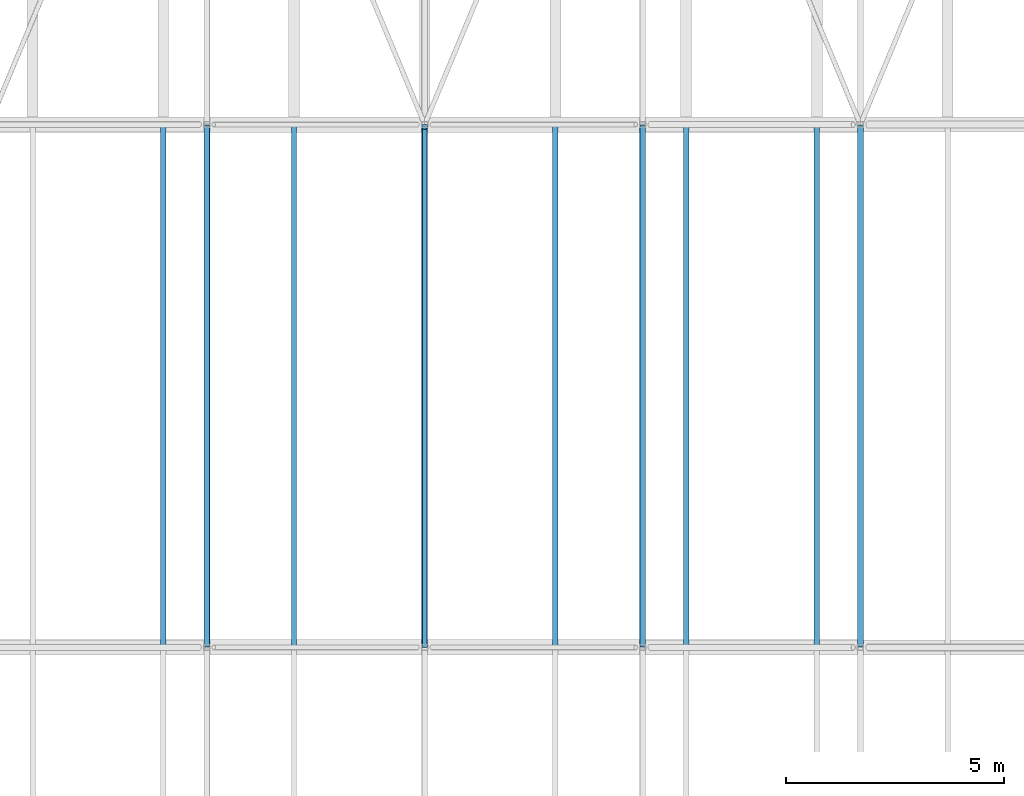
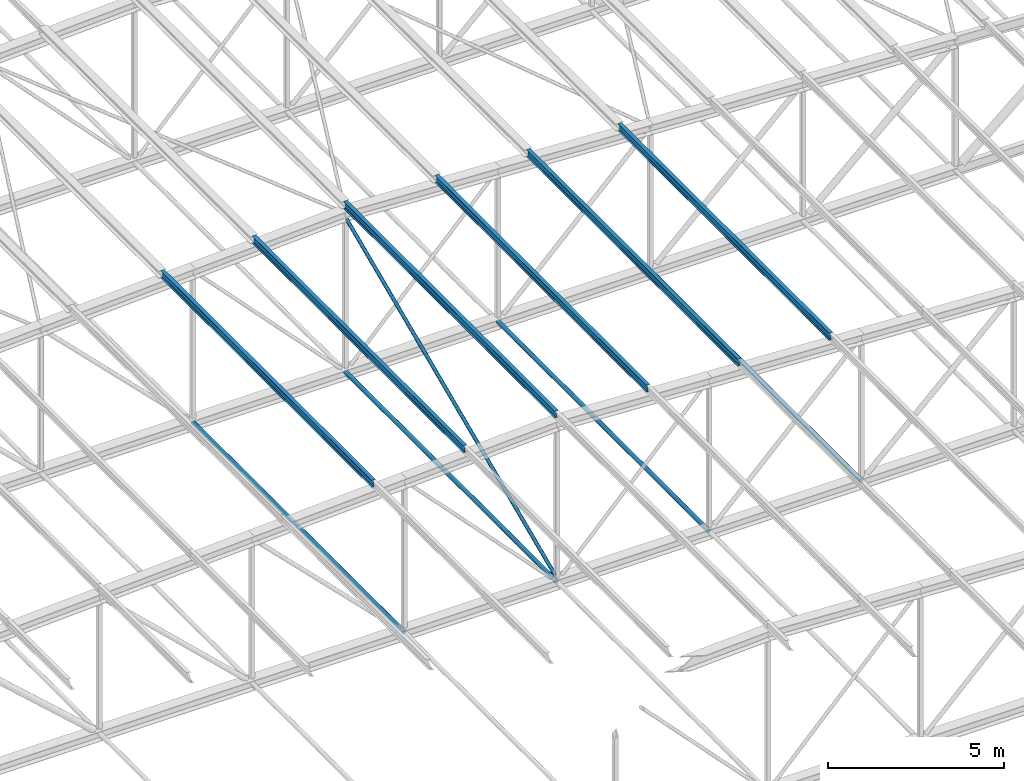
# One storey, part 31 of 156: 11 members.
"""IFC4 building model written with IfcOpenShell, lengths in metres."""

from ifc_helpers import new_model, si_unit, direction, frame, origin, origin_2d, place, context, subcontext, project, spatial, hollow_circle, i_section, extrude, material, material_profile, profile_set, type_object, element, save


model = new_model("IFC4")

# Units and contexts
model_context = context("Model", 3, precision=1e-05, world=origin(), true_north=direction((0.0, 1.0)))
body_context = subcontext(model_context, "Body", "Model", "MODEL_VIEW")
ifc_project = project(units=[si_unit("LENGTHUNIT", "METRE"), si_unit("AREAUNIT", "SQUARE_METRE"), si_unit("VOLUMEUNIT", "CUBIC_METRE"), si_unit("PLANEANGLEUNIT", "RADIAN"), si_unit("MASSUNIT", "GRAM", prefix="KILO")], contexts=[model_context])

# Site, building, storey
site_placement = place(None, origin())
site = spatial("IfcSite", under=ifc_project, at=site_placement, CompositionType="ELEMENT")
building_placement = place(site_placement, origin())
building = spatial("IfcBuilding", under=site, at=building_placement, Name="Lilac Gate Convention Centre", CompositionType="ELEMENT")
storey_placement = place(building_placement, frame((0.0, 0.0, 17.0)))
storey = spatial("IfcBuildingStorey", under=building, at=storey_placement, Name="L03", CompositionType="ELEMENT", Elevation=17.0)

# Members
ifc_material = material(Name="Steel Q355B", Category="steel")
ifc_material_profile_1 = material_profile(ifc_material, hollow_circle(Radius=0.06982421875, WallThickness=0.0048828125, at=origin_2d()), Name="CHS139.7x5")
ifc_profile_set_1 = profile_set([ifc_material_profile_1], Name="Steel Q355B")
member_type_1 = type_object("IfcMemberType", Name="Bottom chord tie CHS139.7x5", PredefinedType="STRUT", material=ifc_profile_set_1)
for number, where, z_axis, x_axis, name in (
    (1, (55.0, 66.009521484375, 0.0), (0.0, 1.0, 0.0), (-1.0, 0.0, 0.0), "ST1 tie bay 4 node 6"),
    (2, (60.0, 66.009521484375, 0.0), (0.0, 1.0, 0.0), (-1.0, 0.0, 0.0), "ST1 tie bay 4 node 7"),
    (3, (65.0, 66.009521484375, 0.0), (0.0, 1.0, 0.0), (-1.0, 0.0, 0.0), "ST1 tie bay 4 node 8"),
):
    element("IfcMember", number, at=place(storey_placement, frame(where, z_axis=z_axis, x_axis=x_axis)), inside=storey, type_object=member_type_1, Name=name, PredefinedType="STRUT", context=body_context, shape_type="SweptSolid", body=[
        extrude(hollow_circle(Radius=0.06982421875, WallThickness=0.0048828125, at=origin_2d()), origin(), (0.0, 0.0, 1.0), 11.98095703125),
    ])
member_1_placement = place(storey_placement, frame((70.0, 66.006103515625, 0.0), z_axis=(0.0, 1.0, 0.0), x_axis=(-1.0, 0.0, 0.0)))
element("IfcMember", 4, at=member_1_placement, inside=storey, type_object=member_type_1, Name="ST1 tie bay 4 node 9", PredefinedType="STRUT", context=body_context, shape_type="SweptSolid", body=[
    extrude(hollow_circle(Radius=0.06982421875, WallThickness=0.0048828125, at=origin_2d()), origin(), (0.0, 0.0, 1.0), 11.98779296875),
])
ifc_material_profile_2 = material_profile(ifc_material, i_section(OverallWidth=0.125, OverallDepth=0.25, WebThickness=0.006103515625, FlangeThickness=0.009033203125, FilletRadius=0.008056640625, at=origin_2d()), Name="HN250x125x6x9")
ifc_profile_set_2 = profile_set([ifc_material_profile_2], Name="Steel Q355B")
member_type_2 = type_object("IfcMemberType", Name="Roof purlin HN250x125x6x9", PredefinedType="PURLIN", material=ifc_profile_set_2)
for number, where, z_axis, x_axis, name in (
    (5, (54.0, 66.0, 5.500244140625), (0.0, 1.0, 0.0), (-1.0, 0.0, 0.0), "PU2 purlin bay 4 line 9"),
    (6, (57.0, 66.0, 5.650146484375), (0.0, 1.0, 0.0), (-1.0, 0.0, 0.0), "PU2 purlin bay 4 line 10"),
    (7, (60.0, 66.0, 5.80029296875), (0.0, 1.0, 0.0), (-1.0, 0.0, 0.0), "PU2 purlin bay 4 line 11"),
    (8, (63.0, 66.0, 5.650146484375), (0.0, 1.0, 0.0), (-1.0, 0.0, 0.0), "PU2 purlin bay 4 line 12"),
    (9, (66.0, 66.0, 5.500244140625), (0.0, 1.0, 0.0), (-1.0, 0.0, 0.0), "PU2 purlin bay 4 line 13"),
    (10, (69.0, 66.0, 5.35009765625), (0.0, 1.0, 0.0), (-1.0, 0.0, 0.0), "PU2 purlin bay 4 line 14"),
):
    element("IfcMember", number, at=place(storey_placement, frame(where, z_axis=z_axis, x_axis=x_axis)), inside=storey, type_object=member_type_2, Name=name, PredefinedType="PURLIN", context=body_context, shape_type="SweptSolid", body=[
        extrude(i_section(OverallWidth=0.125, OverallDepth=0.25, WebThickness=0.006103515625, FlangeThickness=0.009033203125, FilletRadius=0.008056640625, at=origin_2d()), origin(), (0.0, 0.0, 1.0), 12.0),
    ])
ifc_material_profile_3 = material_profile(ifc_material, hollow_circle(Radius=0.05712890625, WallThickness=0.006103515625, at=origin_2d()), Name="CHS114.3x6")
ifc_profile_set_3 = profile_set([ifc_material_profile_3], Name="Steel Q355B")
member_type_3 = type_object("IfcMemberType", Name="Vertical bracing CHS114.3x6", PredefinedType="BRACE", material=ifc_profile_set_3)
member_2_placement = place(storey_placement, frame((60.0, 66.08740234375, 0.175048828125), z_axis=(0.0, 0.916835469497, 0.399265227477), x_axis=(-1.0, 0.0, 0.0)))
element("IfcMember", 11, at=member_2_placement, inside=storey, type_object=member_type_3, Name="BR2 vertical bracing bay 4 line 2", PredefinedType="BRACE", context=body_context, shape_type="SweptSolid", body=[
    extrude(hollow_circle(Radius=0.05712890625, WallThickness=0.006103515625, at=origin_2d()), origin(), (0.0, 0.0, 1.0), 12.89794921875),
])

save(model, "model.ifc")
